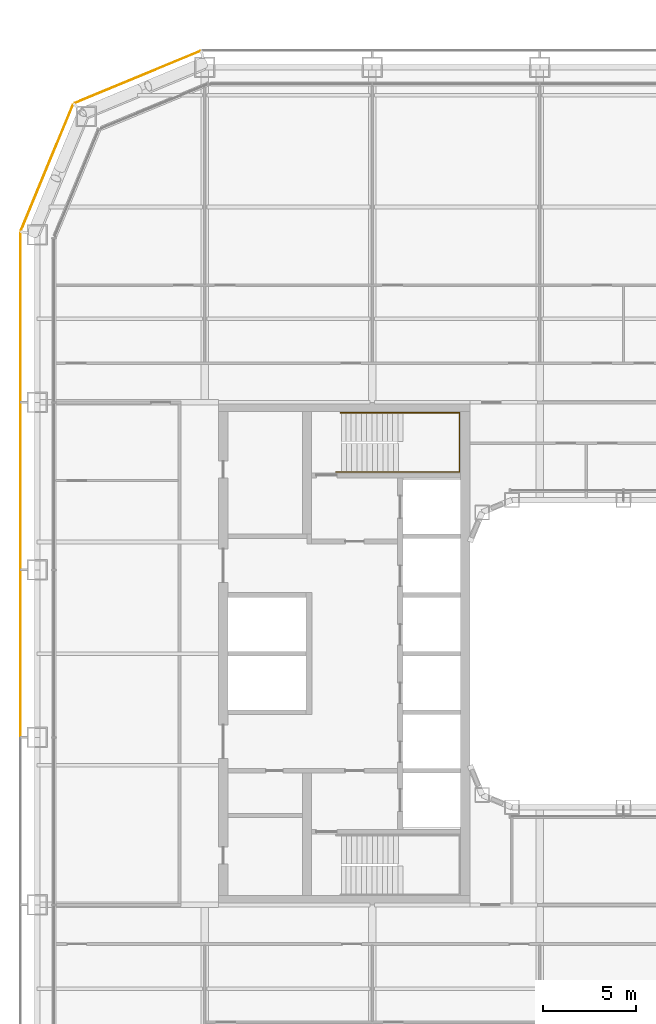
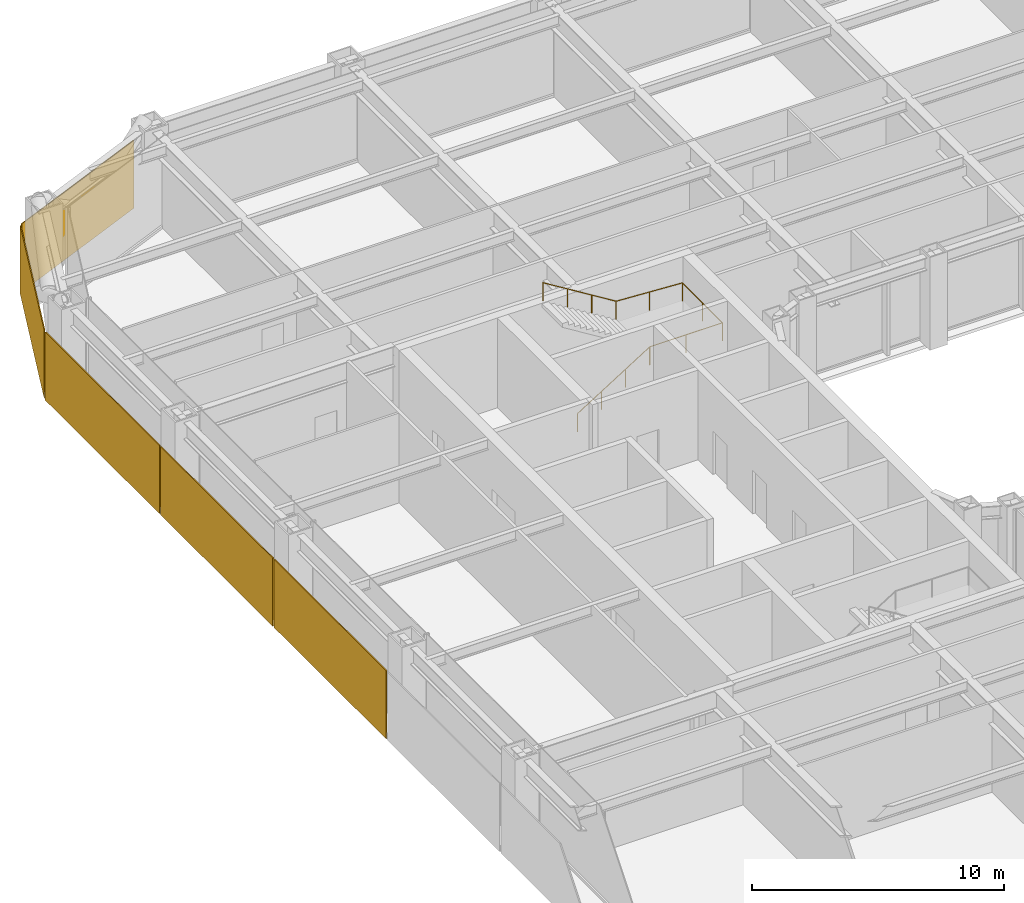
# One storey, part 27 of 30: 5 coverings, 1 railing.
"""IFC4 building model written with IfcOpenShell, lengths in metres."""

from ifc_helpers import new_model, si_unit, direction, frame, origin, origin_2d, place, context, subcontext, project, spatial, rectangle, circle, extrude, material, layer, layer_set, type_object, element, save


model = new_model("IFC4")

# Units and contexts
model_context = context("Model", 3, precision=1e-05, world=origin(), true_north=direction((0.0, 1.0)))
body_context = subcontext(model_context, "Body", "Model", "MODEL_VIEW")
ifc_project = project(units=[si_unit("LENGTHUNIT", "METRE"), si_unit("AREAUNIT", "SQUARE_METRE"), si_unit("VOLUMEUNIT", "CUBIC_METRE"), si_unit("PLANEANGLEUNIT", "RADIAN"), si_unit("MASSUNIT", "GRAM", prefix="KILO")], contexts=[model_context])

# Site, building, storey
site_placement = place(None, origin())
site = spatial("IfcSite", under=ifc_project, at=site_placement, CompositionType="ELEMENT")
building_placement = place(site_placement, origin())
building = spatial("IfcBuilding", under=site, at=building_placement, Name="Siwar Civic Tower", CompositionType="ELEMENT")
storey_placement = place(building_placement, frame((0.0, 0.0, 26.699951171875)))
storey = spatial("IfcBuildingStorey", under=building, at=storey_placement, Name="L05", CompositionType="ELEMENT", Elevation=26.699951171875)

# Railing
ifc_material_1 = material(Name="Stainless steel", Category="steel")
railing_type = type_object("IfcRailingType", Name="CORE-STAIR-HANDRAIL", PredefinedType="HANDRAIL", material=ifc_material_1)
railing_placement = place(storey_placement, frame((-15.449951171875, 9.758056640625, 0.173095703125)))
element("IfcRailing", 1, at=railing_placement, inside=storey, type_object=railing_type, Name="Stair handrail ST1", PredefinedType="HANDRAIL", context=body_context, shape_type="SweptSolid", body=[
    extrude(circle(Radius=0.02001953125, at=origin_2d()), frame((0.0, 0.0, 0.8798828125), z_axis=(0.847063342986, 0.0, 0.531491950051), x_axis=(0.0, 1.0, 0.0)), (0.0, 0.0, 1.0), 3.90771484375),
    extrude(circle(Radius=0.02001953125, at=origin_2d()), frame((3.31005859375, 0.0, 2.956787109375), z_axis=(1.0, 0.0, 0.0), x_axis=(0.0, 1.0, 0.0)), (0.0, 0.0, 1.0), 3.331787109375),
    extrude(circle(Radius=0.02001953125, at=origin_2d()), frame((6.641845703125, 0.0, 2.956787109375), z_axis=(0.0, 1.0, 0.0), x_axis=(-1.0, 0.0, 0.0)), (0.0, 0.0, 1.0), 3.183837890625),
    extrude(circle(Radius=0.02001953125, at=origin_2d()), frame((6.641845703125, 3.183837890625, 2.956787109375), z_axis=(-0.99837434197, 0.0, 0.056997134106), x_axis=(0.0, -1.0, 0.0)), (0.0, 0.0, 1.0), 3.036865234375),
    extrude(circle(Radius=0.02001953125, at=origin_2d()), frame((3.60986328125, 3.183837890625, 3.1298828125), z_axis=(-0.850606129759, 0.0, 0.525803396734), x_axis=(0.0, -1.0, 0.0)), (0.0, 0.0, 1.0), 3.949951171875),
    extrude(circle(Radius=0.02001953125, at=origin_2d()), origin(), (0.0, 0.0, 1.0), 0.85986328125),
    extrude(circle(Radius=0.02001953125, at=origin_2d()), frame((1.103271484375, 0.0, 0.6923828125)), (0.0, 0.0, 1.0), 0.85986328125),
    extrude(circle(Radius=0.02001953125, at=origin_2d()), frame((2.206787109375, 0.0, 1.384521484375)), (0.0, 0.0, 1.0), 0.85986328125),
    extrude(circle(Radius=0.02001953125, at=origin_2d()), frame((3.31005859375, 0.0, 2.076904296875)), (0.0, 0.0, 1.0), 0.85986328125),
    extrude(circle(Radius=0.02001953125, at=origin_2d()), frame((4.97607421875, 0.0, 2.076904296875)), (0.0, 0.0, 1.0), 0.85986328125),
    extrude(circle(Radius=0.02001953125, at=origin_2d()), frame((6.641845703125, 0.0, 2.076904296875)), (0.0, 0.0, 1.0), 0.85986328125),
    extrude(circle(Radius=0.02001953125, at=origin_2d()), frame((6.641845703125, 1.591796875, 2.076904296875)), (0.0, 0.0, 1.0), 0.85986328125),
    extrude(circle(Radius=0.02001953125, at=origin_2d()), frame((6.641845703125, 3.183837890625, 2.076904296875)), (0.0, 0.0, 1.0), 0.85986328125),
    extrude(circle(Radius=0.02001953125, at=origin_2d()), frame((5.1259765625, 3.183837890625, 2.16357421875)), (0.0, 0.0, 1.0), 0.85986328125),
    extrude(circle(Radius=0.02001953125, at=origin_2d()), frame((3.60986328125, 3.183837890625, 2.25)), (0.0, 0.0, 1.0), 0.85986328125),
    extrude(circle(Radius=0.02001953125, at=origin_2d()), frame((2.489990234375, 3.183837890625, 2.9423828125)), (0.0, 0.0, 1.0), 0.85986328125),
    extrude(circle(Radius=0.02001953125, at=origin_2d()), frame((1.369873046875, 3.183837890625, 3.634521484375)), (0.0, 0.0, 1.0), 0.85986328125),
    extrude(circle(Radius=0.02001953125, at=origin_2d()), frame((0.25, 3.183837890625, 4.326904296875)), (0.0, 0.0, 1.0), 0.85986328125),
])

# Coverings
ifc_material_2 = material(Name="Perforated aluminium cassette, pale metal", Category="aluminium")
ifc_layer_1 = layer(ifc_material_2, 0.0400390625)
ifc_layer_set_1 = layer_set([ifc_layer_1], Name="Perforated aluminium cassette, pale metal")
covering_type_1 = type_object("IfcCoveringType", Name="ENV-OUTER SKIN OS-1", PredefinedType="CLADDING", material=ifc_layer_set_1)
covering_1_placement = place(storey_placement, frame((-26.115966796875, 30.976318359375, -0.14990234375), z_axis=(0.0, 0.0, 1.0), x_axis=(-0.923879532511, -0.382683432365, 0.0)))
element("IfcCovering", 2, at=covering_1_placement, inside=storey, type_object=covering_type_1, Name="OUTER SKIN OS-1 NW1 1", PredefinedType="CLADDING", context=body_context, shape_type="SweptSolid", body=[
    extrude(rectangle(XDim=7.300048828125, YDim=0.0400390625, at=origin_2d()), origin(), (0.0, 0.0, 1.0), 3.300048828125),
])
ifc_material_3 = material(Name="Perforated aluminium cassette, pale metal", Category="aluminium")
ifc_layer_2 = layer(ifc_material_3, 0.044921875)
ifc_layer_set_2 = layer_set([ifc_layer_2], Name="Perforated aluminium cassette, pale metal")
covering_type_2 = type_object("IfcCoveringType", Name="ENV-OUTER SKIN OS-2", PredefinedType="CLADDING", material=ifc_layer_set_2)
covering_2_placement = place(storey_placement, frame((-30.976318359375, 26.115966796875, -0.14990234375), z_axis=(0.0, 0.0, 1.0), x_axis=(-0.382683432365, -0.923879532511, 0.0)))
element("IfcCovering", 3, at=covering_2_placement, inside=storey, type_object=covering_type_2, Name="OUTER SKIN OS-2 NW2 1", PredefinedType="CLADDING", context=body_context, shape_type="SweptSolid", body=[
    extrude(rectangle(XDim=7.300048828125, YDim=0.044921875, at=origin_2d()), origin(), (0.0, 0.0, 1.0), 3.300048828125),
])
ifc_material_4 = material(Name="Perforated aluminium cassette, pale metal", Category="aluminium")
ifc_layer_3 = layer(ifc_material_4, 0.050048828125)
ifc_layer_set_3 = layer_set([ifc_layer_3], Name="Perforated aluminium cassette, pale metal")
covering_type_3 = type_object("IfcCoveringType", Name="ENV-OUTER SKIN OS-3", PredefinedType="CLADDING", material=ifc_layer_set_3)
covering_3_placement = place(storey_placement, frame((-32.39990234375, 18.07958984375, -0.14990234375), z_axis=(0.0, 0.0, 1.0), x_axis=(0.0, -1.0, 0.0)))
element("IfcCovering", 4, at=covering_3_placement, inside=storey, type_object=covering_type_3, Name="OUTER SKIN OS-3 W 1", PredefinedType="CLADDING", context=body_context, shape_type="SweptSolid", body=[
    extrude(rectangle(XDim=9.05908203125, YDim=0.050048828125, at=origin_2d()), origin(), (0.0, 0.0, 1.0), 3.300048828125),
])
for number, where, z_axis, x_axis, name in (
    (5, (-32.39990234375, 9.0, -0.14990234375), (0.0, 0.0, 1.0), (0.0, -1.0, 0.0), "OUTER SKIN OS-3 W 2"),
    (6, (-32.39990234375, 0.0, -0.14990234375), (0.0, 0.0, 1.0), (0.0, -1.0, 0.0), "OUTER SKIN OS-3 W 3"),
):
    element("IfcCovering", number, at=place(storey_placement, frame(where, z_axis=z_axis, x_axis=x_axis)), inside=storey, type_object=covering_type_3, Name=name, PredefinedType="CLADDING", context=body_context, shape_type="SweptSolid", body=[
        extrude(rectangle(XDim=8.89990234375, YDim=0.050048828125, at=origin_2d()), origin(), (0.0, 0.0, 1.0), 3.300048828125),
    ])

save(model, "model.ifc")
